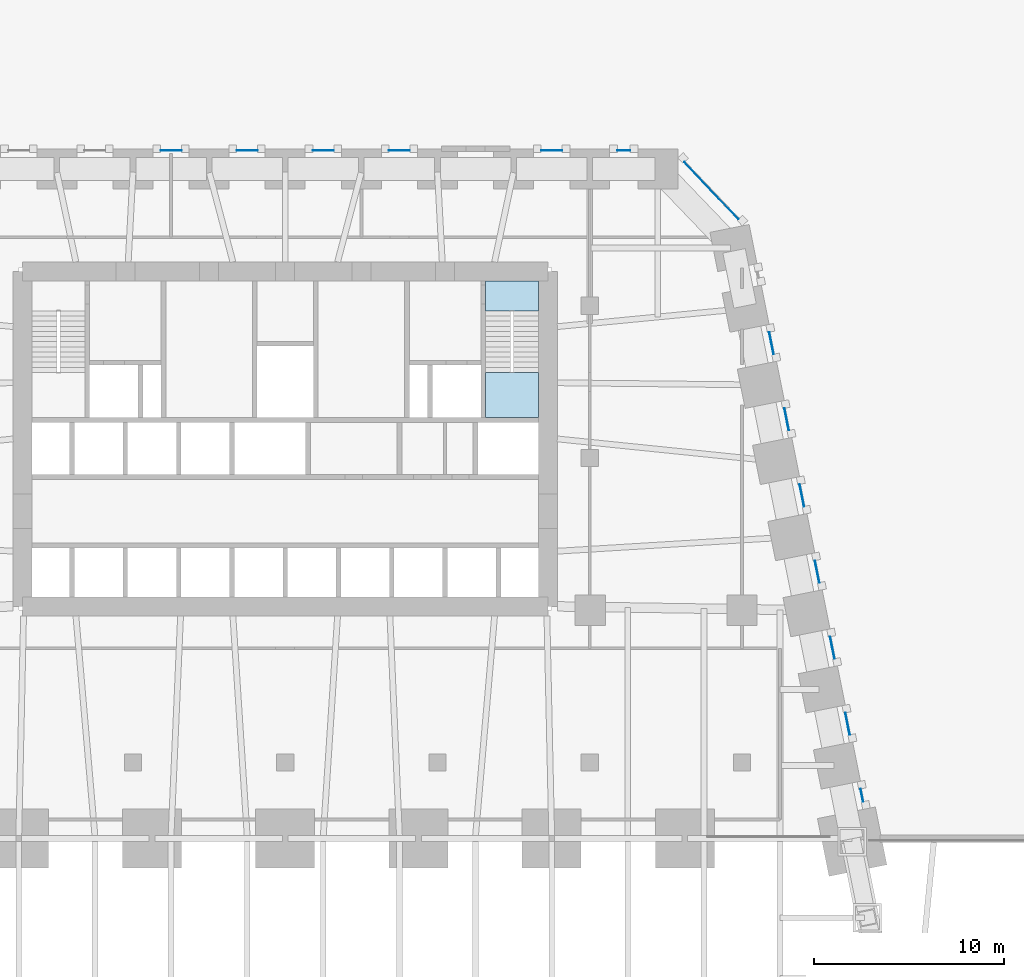
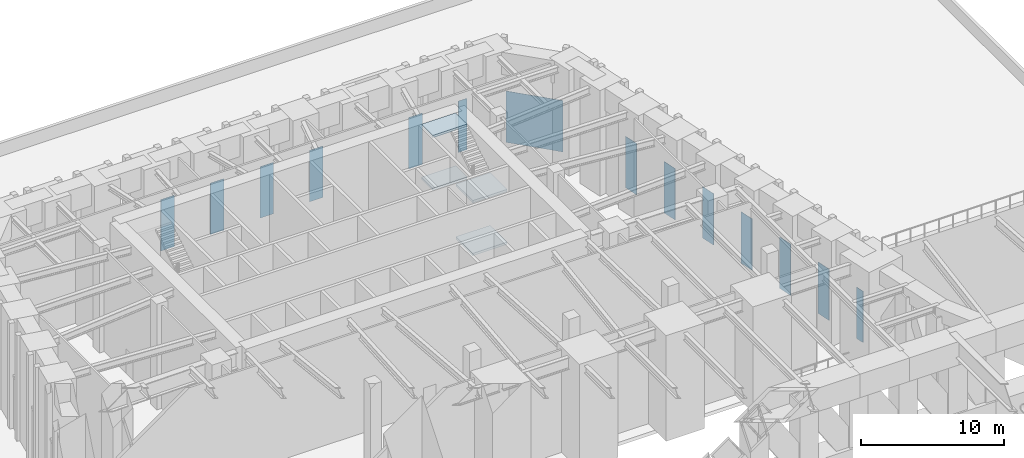
# One storey, part 12 of 20: 14 plates, 4 slabs, 15 elements without a shape of their own.
"""IFC4 building model written with IfcOpenShell, lengths in metres."""

from ifc_helpers import new_model, si_unit, direction, frame, origin, origin_2d, place, context, subcontext, project, spatial, polyline, rectangle, outline, extrude, material, layer, layer_set, type_object, element, aggregate, save


model = new_model("IFC4")

# Units and contexts
model_context = context("Model", 3, precision=1e-05, world=origin(), true_north=direction((0.0, 1.0)))
body_context = subcontext(model_context, "Body", "Model", "MODEL_VIEW")
ifc_project = project(units=[si_unit("LENGTHUNIT", "METRE"), si_unit("AREAUNIT", "SQUARE_METRE"), si_unit("VOLUMEUNIT", "CUBIC_METRE"), si_unit("PLANEANGLEUNIT", "RADIAN"), si_unit("MASSUNIT", "GRAM", prefix="KILO")], contexts=[model_context])

# Site, building, storey
site_placement = place(None, origin())
site = spatial("IfcSite", under=ifc_project, at=site_placement, CompositionType="ELEMENT")
building_placement = place(site_placement, origin())
building = spatial("IfcBuilding", under=site, at=building_placement, Name="Isbrekke Arena Tower", CompositionType="ELEMENT")
storey_placement = place(building_placement, frame((0.0, 0.0, 19.0)))
storey = spatial("IfcBuildingStorey", under=building, at=storey_placement, Name="L03", CompositionType="ELEMENT", Elevation=19.0)

# Curtain wall, plate
ifc_material_1 = material(Name="Glazed aluminium curtain wall", Category="aluminium")
curtain_wall_type = type_object("IfcCurtainWallType", Name="CWR PLANT LOUVRE WALL", PredefinedType="USERDEFINED", material=ifc_material_1)
curtain_wall_1_placement = place(storey_placement, origin())
curtain_wall_1 = element("IfcCurtainWall", 1, at=curtain_wall_1_placement, inside=storey, type_object=curtain_wall_type, Name="CWR curtain wall L03-E", ObjectType="PLANT LOUVRE WALL", PredefinedType="USERDEFINED")
ifc_material_2 = material(Name="Aluminium louvre", Category="aluminium")
ifc_layer_1 = layer(ifc_material_2, 0.031982421875)
ifc_layer_set_1 = layer_set([ifc_layer_1], Name="CWR-P LOUVRE PANEL")
plate_type = type_object("IfcPlateType", Name="CWR-P LOUVRE PANEL", PredefinedType="CURTAIN_PANEL", material=ifc_layer_set_1)
plate_1_placement = place(storey_placement, frame((30.29833984375, -3.726318359375, 0.02001953125), z_axis=(0.0, 0.0, 1.0), x_axis=(-0.196116135138, 0.980580675691, 0.0)))
plate_1 = element("IfcPlate", 2, at=plate_1_placement, type_object=plate_type, Name="CWR-P panel 1", PredefinedType="CURTAIN_PANEL", context=body_context, shape_type="SweptSolid", body=[
    extrude(rectangle(XDim=0.68115234375, YDim=0.031982421875, at=origin_2d()), origin(), (0.0, 0.0, 1.0), 4.3798828125),
])
aggregate(curtain_wall_1, [plate_1])

curtain_wall_2_placement = place(storey_placement, origin())
curtain_wall_2 = element("IfcCurtainWall", 3, at=curtain_wall_2_placement, inside=storey, type_object=curtain_wall_type, Name="CWR curtain wall L03-E3", ObjectType="PLANT LOUVRE WALL", PredefinedType="USERDEFINED")
plate_2_placement = place(storey_placement, frame((29.547119140625, 0.029296875, 0.02001953125), z_axis=(0.0, 0.0, 1.0), x_axis=(-0.196116135138, 0.980580675691, 0.0)))
plate_2 = element("IfcPlate", 4, at=plate_2_placement, type_object=plate_type, Name="CWR-P panel 1", PredefinedType="CURTAIN_PANEL", context=body_context, shape_type="SweptSolid", body=[
    extrude(rectangle(XDim=1.17919921875, YDim=0.031982421875, at=origin_2d()), origin(), (0.0, 0.0, 1.0), 4.3798828125),
])
aggregate(curtain_wall_2, [plate_2])

curtain_wall_3_placement = place(storey_placement, origin())
curtain_wall_3 = element("IfcCurtainWall", 5, at=curtain_wall_3_placement, inside=storey, type_object=curtain_wall_type, Name="CWR curtain wall L03-E5", ObjectType="PLANT LOUVRE WALL", PredefinedType="USERDEFINED")
plate_3_placement = place(storey_placement, frame((28.7470703125, 4.029296875, 0.02001953125), z_axis=(0.0, 0.0, 1.0), x_axis=(-0.196116135138, 0.980580675691, 0.0)))
plate_3 = element("IfcPlate", 6, at=plate_3_placement, type_object=plate_type, Name="CWR-P panel 1", PredefinedType="CURTAIN_PANEL", context=body_context, shape_type="SweptSolid", body=[
    extrude(rectangle(XDim=1.17919921875, YDim=0.031982421875, at=origin_2d()), origin(), (0.0, 0.0, 1.0), 4.3798828125),
])
aggregate(curtain_wall_3, [plate_3])

curtain_wall_4_placement = place(storey_placement, origin())
curtain_wall_4 = element("IfcCurtainWall", 7, at=curtain_wall_4_placement, inside=storey, type_object=curtain_wall_type, Name="CWR curtain wall L03-E7", ObjectType="PLANT LOUVRE WALL", PredefinedType="USERDEFINED")
plate_4_placement = place(storey_placement, frame((27.947021484375, 8.029296875, 0.02001953125), z_axis=(0.0, 0.0, 1.0), x_axis=(-0.196116135138, 0.980580675691, 0.0)))
plate_4 = element("IfcPlate", 8, at=plate_4_placement, type_object=plate_type, Name="CWR-P panel 1", PredefinedType="CURTAIN_PANEL", context=body_context, shape_type="SweptSolid", body=[
    extrude(rectangle(XDim=1.17919921875, YDim=0.031982421875, at=origin_2d()), origin(), (0.0, 0.0, 1.0), 4.3798828125),
])
aggregate(curtain_wall_4, [plate_4])

curtain_wall_5_placement = place(storey_placement, origin())
curtain_wall_5 = element("IfcCurtainWall", 9, at=curtain_wall_5_placement, inside=storey, type_object=curtain_wall_type, Name="CWR curtain wall L03-E9", ObjectType="PLANT LOUVRE WALL", PredefinedType="USERDEFINED")
plate_5_placement = place(storey_placement, frame((27.14697265625, 12.029296875, 0.02001953125), z_axis=(0.0, 0.0, 1.0), x_axis=(-0.196116135138, 0.980580675691, 0.0)))
plate_5 = element("IfcPlate", 10, at=plate_5_placement, type_object=plate_type, Name="CWR-P panel 1", PredefinedType="CURTAIN_PANEL", context=body_context, shape_type="SweptSolid", body=[
    extrude(rectangle(XDim=1.17919921875, YDim=0.031982421875, at=origin_2d()), origin(), (0.0, 0.0, 1.0), 4.3798828125),
])
aggregate(curtain_wall_5, [plate_5])

curtain_wall_6_placement = place(storey_placement, origin())
curtain_wall_6 = element("IfcCurtainWall", 11, at=curtain_wall_6_placement, inside=storey, type_object=curtain_wall_type, Name="CWR curtain wall L03-E11", ObjectType="PLANT LOUVRE WALL", PredefinedType="USERDEFINED")
plate_6_placement = place(storey_placement, frame((26.34716796875, 16.029296875, 0.02001953125), z_axis=(0.0, 0.0, 1.0), x_axis=(-0.196116135138, 0.980580675691, 0.0)))
plate_6 = element("IfcPlate", 12, at=plate_6_placement, type_object=plate_type, Name="CWR-P panel 1", PredefinedType="CURTAIN_PANEL", context=body_context, shape_type="SweptSolid", body=[
    extrude(rectangle(XDim=1.17919921875, YDim=0.031982421875, at=origin_2d()), origin(), (0.0, 0.0, 1.0), 4.3798828125),
])
aggregate(curtain_wall_6, [plate_6])

curtain_wall_7_placement = place(storey_placement, origin())
curtain_wall_7 = element("IfcCurtainWall", 13, at=curtain_wall_7_placement, inside=storey, type_object=curtain_wall_type, Name="CWR curtain wall L03-E13", ObjectType="PLANT LOUVRE WALL", PredefinedType="USERDEFINED")
plate_7_placement = place(storey_placement, frame((25.547119140625, 20.029296875, 0.02001953125), z_axis=(0.0, 0.0, 1.0), x_axis=(-0.196116135138, 0.980580675691, 0.0)))
plate_7 = element("IfcPlate", 14, at=plate_7_placement, type_object=plate_type, Name="CWR-P panel 1", PredefinedType="CURTAIN_PANEL", context=body_context, shape_type="SweptSolid", body=[
    extrude(rectangle(XDim=1.17919921875, YDim=0.031982421875, at=origin_2d()), origin(), (0.0, 0.0, 1.0), 4.3798828125),
])
aggregate(curtain_wall_7, [plate_7])

curtain_wall_8_placement = place(storey_placement, origin())
curtain_wall_8 = element("IfcCurtainWall", 15, at=curtain_wall_8_placement, inside=storey, type_object=curtain_wall_type, Name="CWR curtain wall L03-EN", ObjectType="PLANT LOUVRE WALL", PredefinedType="USERDEFINED")
plate_8_placement = place(storey_placement, frame((22.393310546875, 28.046875, 0.02001953125), z_axis=(0.0, 0.0, 1.0), x_axis=(-0.68874946192, 0.72499943359, 0.0)))
plate_8 = element("IfcPlate", 16, at=plate_8_placement, type_object=plate_type, Name="CWR-P panel 1", PredefinedType="CURTAIN_PANEL", context=body_context, shape_type="SweptSolid", body=[
    extrude(rectangle(XDim=4.13134765625, YDim=0.031982421875, at=origin_2d()), origin(), (0.0, 0.0, 1.0), 4.3798828125),
])
aggregate(curtain_wall_8, [plate_8])

curtain_wall_9_placement = place(storey_placement, origin())
curtain_wall_9 = element("IfcCurtainWall", 17, at=curtain_wall_9_placement, inside=storey, type_object=curtain_wall_type, Name="CWR curtain wall L03-N", ObjectType="PLANT LOUVRE WALL", PredefinedType="USERDEFINED")
plate_9_placement = place(storey_placement, frame((17.78857421875, 30.14990234375, 0.02001953125), z_axis=(0.0, 0.0, 1.0), x_axis=(-1.0, 0.0, 0.0)))
plate_9 = element("IfcPlate", 18, at=plate_9_placement, type_object=plate_type, Name="CWR-P panel 1", PredefinedType="CURTAIN_PANEL", context=body_context, shape_type="SweptSolid", body=[
    extrude(rectangle(XDim=0.677001953125, YDim=0.031982421875, at=origin_2d()), origin(), (0.0, 0.0, 1.0), 4.3798828125),
])
aggregate(curtain_wall_9, [plate_9])

curtain_wall_10_placement = place(storey_placement, origin())
curtain_wall_10 = element("IfcCurtainWall", 19, at=curtain_wall_10_placement, inside=storey, type_object=curtain_wall_type, Name="CWR curtain wall L03-N3", ObjectType="PLANT LOUVRE WALL", PredefinedType="USERDEFINED")
plate_10_placement = place(storey_placement, frame((13.9990234375, 30.14990234375, 0.02001953125), z_axis=(0.0, 0.0, 1.0), x_axis=(-1.0, 0.0, 0.0)))
plate_10 = element("IfcPlate", 20, at=plate_10_placement, type_object=plate_type, Name="CWR-P panel 1", PredefinedType="CURTAIN_PANEL", context=body_context, shape_type="SweptSolid", body=[
    extrude(rectangle(XDim=1.10205078125, YDim=0.031982421875, at=origin_2d()), origin(), (0.0, 0.0, 1.0), 4.3798828125),
])
aggregate(curtain_wall_10, [plate_10])

curtain_wall_11_placement = place(storey_placement, origin())
curtain_wall_11 = element("IfcCurtainWall", 21, at=curtain_wall_11_placement, inside=storey, type_object=curtain_wall_type, Name="CWR curtain wall L03-N2", ObjectType="PLANT LOUVRE WALL", PredefinedType="USERDEFINED")
plate_11_placement = place(storey_placement, frame((6.0009765625, 30.14990234375, 0.02001953125), z_axis=(0.0, 0.0, 1.0), x_axis=(-1.0, 0.0, 0.0)))
plate_11 = element("IfcPlate", 22, at=plate_11_placement, type_object=plate_type, Name="CWR-P panel 1", PredefinedType="CURTAIN_PANEL", context=body_context, shape_type="SweptSolid", body=[
    extrude(rectangle(XDim=1.10205078125, YDim=0.031982421875, at=origin_2d()), origin(), (0.0, 0.0, 1.0), 4.3798828125),
])
aggregate(curtain_wall_11, [plate_11])

curtain_wall_12_placement = place(storey_placement, origin())
curtain_wall_12 = element("IfcCurtainWall", 23, at=curtain_wall_12_placement, inside=storey, type_object=curtain_wall_type, Name="CWR curtain wall L03-N23", ObjectType="PLANT LOUVRE WALL", PredefinedType="USERDEFINED")
plate_12_placement = place(storey_placement, frame((2.0, 30.14990234375, 0.02001953125), z_axis=(0.0, 0.0, 1.0), x_axis=(-1.0, 0.0, 0.0)))
plate_12 = element("IfcPlate", 24, at=plate_12_placement, type_object=plate_type, Name="CWR-P panel 1", PredefinedType="CURTAIN_PANEL", context=body_context, shape_type="SweptSolid", body=[
    extrude(rectangle(XDim=1.10009765625, YDim=0.031982421875, at=origin_2d()), origin(), (0.0, 0.0, 1.0), 4.3798828125),
])
aggregate(curtain_wall_12, [plate_12])

curtain_wall_13_placement = place(storey_placement, origin())
curtain_wall_13 = element("IfcCurtainWall", 25, at=curtain_wall_13_placement, inside=storey, type_object=curtain_wall_type, Name="CWR curtain wall L03-N25", ObjectType="PLANT LOUVRE WALL", PredefinedType="USERDEFINED")
plate_13_placement = place(storey_placement, frame((-2.0, 30.14990234375, 0.02001953125), z_axis=(0.0, 0.0, 1.0), x_axis=(-1.0, 0.0, 0.0)))
plate_13 = element("IfcPlate", 26, at=plate_13_placement, type_object=plate_type, Name="CWR-P panel 1", PredefinedType="CURTAIN_PANEL", context=body_context, shape_type="SweptSolid", body=[
    extrude(rectangle(XDim=1.10009765625, YDim=0.031982421875, at=origin_2d()), origin(), (0.0, 0.0, 1.0), 4.3798828125),
])
aggregate(curtain_wall_13, [plate_13])

curtain_wall_14_placement = place(storey_placement, origin())
curtain_wall_14 = element("IfcCurtainWall", 27, at=curtain_wall_14_placement, inside=storey, type_object=curtain_wall_type, Name="CWR curtain wall L03-N27", ObjectType="PLANT LOUVRE WALL", PredefinedType="USERDEFINED")
plate_14_placement = place(storey_placement, frame((-6.0, 30.14990234375, 0.02001953125), z_axis=(0.0, 0.0, 1.0), x_axis=(-1.0, 0.0, 0.0)))
plate_14 = element("IfcPlate", 28, at=plate_14_placement, type_object=plate_type, Name="CWR-P panel 1", PredefinedType="CURTAIN_PANEL", context=body_context, shape_type="SweptSolid", body=[
    extrude(rectangle(XDim=1.10009765625, YDim=0.031982421875, at=origin_2d()), origin(), (0.0, 0.0, 1.0), 4.3798828125),
])
aggregate(curtain_wall_14, [plate_14])

# Stair, slabs
ifc_material_3 = material(Name="Concrete B45 (C45/55) precast", Category="concrete")
stair_type = type_object("IfcStairType", Name="ST90 STAIR 1300 WIDE, 54 RISERS 167", PredefinedType="HALF_TURN_STAIR", material=ifc_material_3)
stair_placement = place(storey_placement, origin())
stair = element("IfcStair", 29, at=stair_placement, inside=storey, type_object=stair_type, Name="ST2 stair L03", PredefinedType="HALF_TURN_STAIR")
ifc_material_4 = material(Name="Concrete B35 (C35/45)", Category="concrete")
ifc_layer_2 = layer(ifc_material_4, 0.199951171875)
ifc_layer_set_2 = layer_set([ifc_layer_2], Name="SL1 STAIR LANDING 200")
slab_type = type_object("IfcSlabType", Name="SL1 STAIR LANDING 200", PredefinedType="LANDING", material=ifc_layer_set_2)
slab_1_placement = place(storey_placement, frame((0.0, 0.0, 2.13330078125)))
slab_1 = element("IfcSlab", 30, at=slab_1_placement, type_object=slab_type, Name="ST2 landing 1", PredefinedType="LANDING", context=body_context, shape_type="SweptSolid", body=[
    extrude(outline(polyline([(10.52490234375, 16.125), (13.300048828125, 16.125), (13.300048828125, 18.489990234375), (10.52490234375, 18.489990234375), (10.52490234375, 16.125)])), origin(), (0.0, 0.0, 1.0), 0.199951171875),
])
slab_2_placement = place(storey_placement, frame((0.0, 0.0, 4.300048828125)))
slab_2 = element("IfcSlab", 31, at=slab_2_placement, type_object=slab_type, Name="ST2 landing 2", PredefinedType="LANDING", context=body_context, shape_type="SweptSolid", body=[
    extrude(outline(polyline([(10.52490234375, 21.72998046875), (13.300048828125, 21.72998046875), (13.300048828125, 23.300048828125), (10.52490234375, 23.300048828125), (10.52490234375, 21.72998046875)])), origin(), (0.0, 0.0, 1.0), 0.199951171875),
])
slab_3_placement = place(storey_placement, frame((0.0, 0.0, 6.63330078125)))
slab_3 = element("IfcSlab", 32, at=slab_3_placement, type_object=slab_type, Name="ST2 landing 3", PredefinedType="LANDING", context=body_context, shape_type="SweptSolid", body=[
    extrude(outline(polyline([(10.52490234375, 16.125), (13.300048828125, 16.125), (13.300048828125, 18.489990234375), (10.52490234375, 18.489990234375), (10.52490234375, 16.125)])), origin(), (0.0, 0.0, 1.0), 0.199951171875),
])
slab_4_placement = place(storey_placement, frame((0.0, 0.0, 8.800048828125)))
slab_4 = element("IfcSlab", 33, at=slab_4_placement, type_object=slab_type, Name="ST2 landing 4", PredefinedType="LANDING", context=body_context, shape_type="SweptSolid", body=[
    extrude(outline(polyline([(10.52490234375, 21.72998046875), (13.300048828125, 21.72998046875), (13.300048828125, 23.300048828125), (10.52490234375, 23.300048828125), (10.52490234375, 21.72998046875)])), origin(), (0.0, 0.0, 1.0), 0.199951171875),
])
aggregate(stair, [slab_1, slab_2, slab_3, slab_4])

save(model, "model.ifc")
